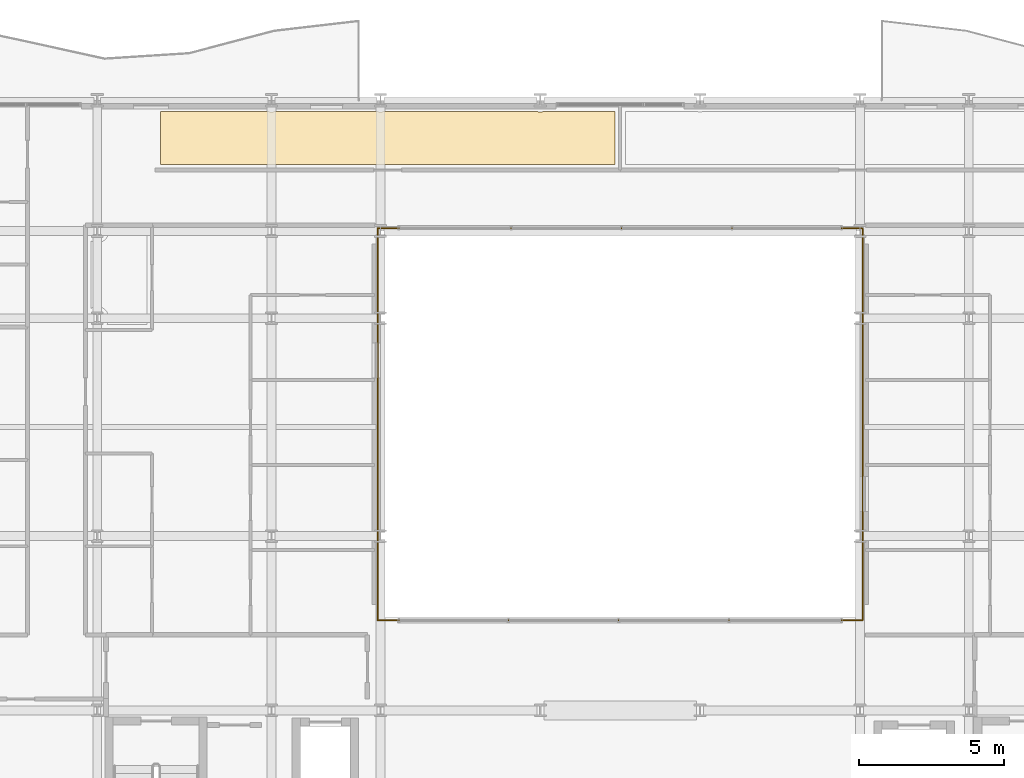
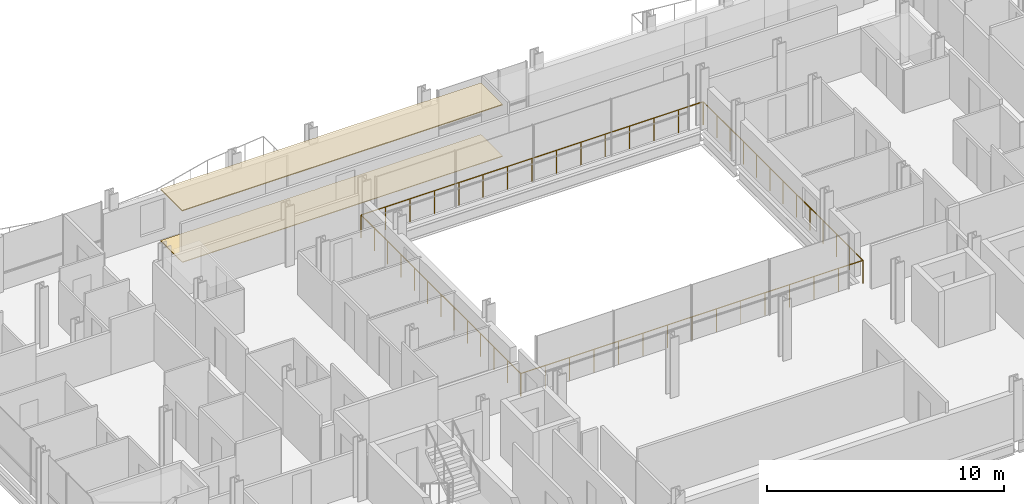
# One storey, part 39 of 41: 2 coverings, 2 railings.
"""IFC4 building model written with IfcOpenShell, lengths in metres."""

from ifc_helpers import new_model, si_unit, direction, frame, origin, origin_2d, place, context, subcontext, project, spatial, polyline, circle, outline, extrude, material, layer, layer_set, type_object, element, save


model = new_model("IFC4")

# Units and contexts
model_context = context("Model", 3, precision=1e-05, world=origin(), true_north=direction((0.0, 1.0)))
body_context = subcontext(model_context, "Body", "Model", "MODEL_VIEW")
ifc_project = project(units=[si_unit("LENGTHUNIT", "METRE"), si_unit("AREAUNIT", "SQUARE_METRE"), si_unit("VOLUMEUNIT", "CUBIC_METRE"), si_unit("PLANEANGLEUNIT", "RADIAN"), si_unit("MASSUNIT", "GRAM", prefix="KILO")], contexts=[model_context])

# Site, building, storey
site_placement = place(None, origin())
site = spatial("IfcSite", under=ifc_project, at=site_placement, CompositionType="ELEMENT")
building_placement = place(site_placement, origin())
building = spatial("IfcBuilding", under=site, at=building_placement, Name="Brevholm Reach", CompositionType="ELEMENT")
storey_placement = place(building_placement, frame((0.0, 0.0, 74.5)))
storey = spatial("IfcBuildingStorey", under=building, at=storey_placement, Name="L21", CompositionType="ELEMENT", Elevation=74.5)

# Coverings
ifc_material_1 = material(Name="Perforated Mineral-Fibre Class-A Acoustic Suspended Ceiling", Category="gypsum")
ifc_layer_1 = layer(ifc_material_1, 0.044921875)
ifc_layer_set_1 = layer_set([ifc_layer_1], Name="Perforated Mineral-Fibre Class-A Acoustic Suspended Ceiling")
covering_type_1 = type_object("IfcCoveringType", Name="COV-CLG-AC", PredefinedType="CEILING", material=ifc_layer_set_1)
covering_1_placement = place(storey_placement, frame((0.0, 0.0, 2.655029296875)))
element("IfcCovering", 1, at=covering_1_placement, inside=storey, type_object=covering_type_1, Name="L21 Suspended Ceiling L21-75", PredefinedType="CEILING", context=body_context, shape_type="SweptSolid", body=[
    extrude(outline(polyline([(14.179931640625, 30.6201171875), (17.876220703125, 30.6201171875), (17.8837890625, 30.6171875), (17.922119140625, 30.607666015625), (17.960693359375, 30.601806640625), (18.0, 30.60009765625), (18.039306640625, 30.601806640625), (18.077880859375, 30.607666015625), (18.1162109375, 30.6171875), (18.123779296875, 30.6201171875), (21.626220703125, 30.6201171875), (21.6337890625, 30.6171875), (21.672119140625, 30.607666015625), (21.710693359375, 30.601806640625), (21.75, 30.60009765625), (21.789306640625, 30.601806640625), (21.827880859375, 30.607666015625), (21.8662109375, 30.6171875), (21.873779296875, 30.6201171875), (27.126220703125, 30.6201171875), (27.1337890625, 30.6171875), (27.172119140625, 30.607666015625), (27.210693359375, 30.601806640625), (27.25, 30.60009765625), (27.289306640625, 30.601806640625), (27.327880859375, 30.607666015625), (27.3662109375, 30.6171875), (27.373779296875, 30.6201171875), (29.820068359375, 30.6201171875), (29.820068359375, 28.783935546875), (14.179931640625, 28.783935546875), (14.179931640625, 30.6201171875)])), origin(), (0.0, 0.0, 1.0), 0.044921875),
])
ifc_material_2 = material(Name="Honed Portland-Aggregate Resin Terrazzo Flooring", Category="concrete")
ifc_layer_2 = layer(ifc_material_2, 0.031982421875)
ifc_layer_set_2 = layer_set([ifc_layer_2], Name="Honed Portland-Aggregate Resin Terrazzo Flooring")
covering_type_2 = type_object("IfcCoveringType", Name="COV-FLR-TRZ", PredefinedType="FLOORING", material=ifc_layer_set_2)
covering_2_placement = place(storey_placement, origin())
element("IfcCovering", 2, at=covering_2_placement, inside=storey, type_object=covering_type_2, Name="L21 Floor Finish L21-75", PredefinedType="FLOORING", context=body_context, shape_type="SweptSolid", body=[
    extrude(outline(polyline([(14.179931640625, 30.6201171875), (17.876220703125, 30.6201171875), (17.8837890625, 30.6171875), (17.922119140625, 30.607666015625), (17.960693359375, 30.601806640625), (18.0, 30.60009765625), (18.039306640625, 30.601806640625), (18.077880859375, 30.607666015625), (18.1162109375, 30.6171875), (18.123779296875, 30.6201171875), (21.626220703125, 30.6201171875), (21.6337890625, 30.6171875), (21.672119140625, 30.607666015625), (21.710693359375, 30.601806640625), (21.75, 30.60009765625), (21.789306640625, 30.601806640625), (21.827880859375, 30.607666015625), (21.8662109375, 30.6171875), (21.873779296875, 30.6201171875), (27.126220703125, 30.6201171875), (27.1337890625, 30.6171875), (27.172119140625, 30.607666015625), (27.210693359375, 30.601806640625), (27.25, 30.60009765625), (27.289306640625, 30.601806640625), (27.327880859375, 30.607666015625), (27.3662109375, 30.6171875), (27.373779296875, 30.6201171875), (29.820068359375, 30.6201171875), (29.820068359375, 28.783935546875), (14.179931640625, 28.783935546875), (14.179931640625, 30.6201171875)])), origin(), (0.0, 0.0, 1.0), 0.031982421875),
])

# Railings
ifc_material_3 = material(Name="Brushed Stainless Steel EN 1.4401 and Laminated Glass", Category="steel")
railing_type = type_object("IfcRailingType", Name="RAL-TERR-1200", PredefinedType="BALUSTRADE", material=ifc_material_3)
railing_1_placement = place(storey_placement, frame((21.64990234375, 13.10009765625, 0.0)))
element("IfcRailing", 3, at=railing_1_placement, inside=storey, type_object=railing_type, Name="L21 Guard Balustrade RAL-L21-AT-VOID-SW", PredefinedType="BALUSTRADE", context=body_context, shape_type="SweptSolid", body=[
    extrude(circle(Radius=0.02392578125, at=origin_2d()), frame((0.0, 0.0, 1.17578125), z_axis=(1.0, 0.0, 0.0), x_axis=(0.0, 1.0, 0.0)), (0.0, 0.0, 1.0), 16.7001953125),
    extrude(circle(Radius=0.02392578125, at=origin_2d()), frame((16.7001953125, 0.0, 1.17578125), z_axis=(0.0, 1.0, 0.0), x_axis=(-1.0, 0.0, 0.0)), (0.0, 0.0, 1.0), 13.47998046875),
    extrude(circle(Radius=0.02099609375, at=origin_2d()), origin(), (0.0, 0.0, 1.0), 1.15185546875),
    extrude(circle(Radius=0.02099609375, at=origin_2d()), frame((1.19287109375, 0.0, 0.0)), (0.0, 0.0, 1.0), 1.15185546875),
    extrude(circle(Radius=0.02099609375, at=origin_2d()), frame((2.3857421875, 0.0, 0.0)), (0.0, 0.0, 1.0), 1.15185546875),
    extrude(circle(Radius=0.02099609375, at=origin_2d()), frame((3.57861328125, 0.0, 0.0)), (0.0, 0.0, 1.0), 1.15185546875),
    extrude(circle(Radius=0.02099609375, at=origin_2d()), frame((4.771484375, 0.0, 0.0)), (0.0, 0.0, 1.0), 1.15185546875),
    extrude(circle(Radius=0.02099609375, at=origin_2d()), frame((5.96435546875, 0.0, 0.0)), (0.0, 0.0, 1.0), 1.15185546875),
    extrude(circle(Radius=0.02099609375, at=origin_2d()), frame((7.1572265625, 0.0, 0.0)), (0.0, 0.0, 1.0), 1.15185546875),
    extrude(circle(Radius=0.02099609375, at=origin_2d()), frame((8.35009765625, 0.0, 0.0)), (0.0, 0.0, 1.0), 1.15185546875),
    extrude(circle(Radius=0.02099609375, at=origin_2d()), frame((9.54296875, 0.0, 0.0)), (0.0, 0.0, 1.0), 1.15185546875),
    extrude(circle(Radius=0.02099609375, at=origin_2d()), frame((10.73583984375, 0.0, 0.0)), (0.0, 0.0, 1.0), 1.15185546875),
    extrude(circle(Radius=0.02099609375, at=origin_2d()), frame((11.9287109375, 0.0, 0.0)), (0.0, 0.0, 1.0), 1.15185546875),
    extrude(circle(Radius=0.02099609375, at=origin_2d()), frame((13.12158203125, 0.0, 0.0)), (0.0, 0.0, 1.0), 1.15185546875),
    extrude(circle(Radius=0.02099609375, at=origin_2d()), frame((14.314453125, 0.0, 0.0)), (0.0, 0.0, 1.0), 1.15185546875),
    extrude(circle(Radius=0.02099609375, at=origin_2d()), frame((15.50732421875, 0.0, 0.0)), (0.0, 0.0, 1.0), 1.15185546875),
    extrude(circle(Radius=0.02099609375, at=origin_2d()), frame((16.7001953125, 0.0, 0.0)), (0.0, 0.0, 1.0), 1.15185546875),
    extrude(circle(Radius=0.02099609375, at=origin_2d()), frame((16.7001953125, 1.123291015625, 0.0)), (0.0, 0.0, 1.0), 1.15185546875),
    extrude(circle(Radius=0.02099609375, at=origin_2d()), frame((16.7001953125, 2.24658203125, 0.0)), (0.0, 0.0, 1.0), 1.15185546875),
    extrude(circle(Radius=0.02099609375, at=origin_2d()), frame((16.7001953125, 3.3701171875, 0.0)), (0.0, 0.0, 1.0), 1.15185546875),
    extrude(circle(Radius=0.02099609375, at=origin_2d()), frame((16.7001953125, 4.493408203125, 0.0)), (0.0, 0.0, 1.0), 1.15185546875),
    extrude(circle(Radius=0.02099609375, at=origin_2d()), frame((16.7001953125, 5.61669921875, 0.0)), (0.0, 0.0, 1.0), 1.15185546875),
    extrude(circle(Radius=0.02099609375, at=origin_2d()), frame((16.7001953125, 6.739990234375, 0.0)), (0.0, 0.0, 1.0), 1.15185546875),
    extrude(circle(Radius=0.02099609375, at=origin_2d()), frame((16.7001953125, 7.86328125, 0.0)), (0.0, 0.0, 1.0), 1.15185546875),
    extrude(circle(Radius=0.02099609375, at=origin_2d()), frame((16.7001953125, 8.986572265625, 0.0)), (0.0, 0.0, 1.0), 1.15185546875),
    extrude(circle(Radius=0.02099609375, at=origin_2d()), frame((16.7001953125, 10.10986328125, 0.0)), (0.0, 0.0, 1.0), 1.15185546875),
    extrude(circle(Radius=0.02099609375, at=origin_2d()), frame((16.7001953125, 11.2333984375, 0.0)), (0.0, 0.0, 1.0), 1.15185546875),
    extrude(circle(Radius=0.02099609375, at=origin_2d()), frame((16.7001953125, 12.356689453125, 0.0)), (0.0, 0.0, 1.0), 1.15185546875),
    extrude(circle(Radius=0.02099609375, at=origin_2d()), frame((16.7001953125, 13.47998046875, 0.0)), (0.0, 0.0, 1.0), 1.15185546875),
])
railing_2_placement = place(storey_placement, frame((38.330078125, 26.60009765625, 0.0)))
element("IfcRailing", 4, at=railing_2_placement, inside=storey, type_object=railing_type, Name="L21 Guard Balustrade RAL-L21-AT-VOID-NE", PredefinedType="BALUSTRADE", context=body_context, shape_type="SweptSolid", body=[
    extrude(circle(Radius=0.02392578125, at=origin_2d()), frame((0.0, 0.0, 1.17578125), z_axis=(-1.0, 0.0, 0.0), x_axis=(0.0, -1.0, 0.0)), (0.0, 0.0, 1.0), 16.68017578125),
    extrude(circle(Radius=0.02392578125, at=origin_2d()), frame((-16.68017578125, 0.0, 1.17578125), z_axis=(0.0, -1.0, 0.0), x_axis=(1.0, 0.0, 0.0)), (0.0, 0.0, 1.0), 13.47998046875),
    extrude(circle(Radius=0.02099609375, at=origin_2d()), origin(), (0.0, 0.0, 1.0), 1.15185546875),
    extrude(circle(Radius=0.02099609375, at=origin_2d()), frame((-1.19140625, 0.0, 0.0)), (0.0, 0.0, 1.0), 1.15185546875),
    extrude(circle(Radius=0.02099609375, at=origin_2d()), frame((-2.3828125, 0.0, 0.0)), (0.0, 0.0, 1.0), 1.15185546875),
    extrude(circle(Radius=0.02099609375, at=origin_2d()), frame((-3.57421875, 0.0, 0.0)), (0.0, 0.0, 1.0), 1.15185546875),
    extrude(circle(Radius=0.02099609375, at=origin_2d()), frame((-4.765869140625, 0.0, 0.0)), (0.0, 0.0, 1.0), 1.15185546875),
    extrude(circle(Radius=0.02099609375, at=origin_2d()), frame((-5.957275390625, 0.0, 0.0)), (0.0, 0.0, 1.0), 1.15185546875),
    extrude(circle(Radius=0.02099609375, at=origin_2d()), frame((-7.148681640625, 0.0, 0.0)), (0.0, 0.0, 1.0), 1.15185546875),
    extrude(circle(Radius=0.02099609375, at=origin_2d()), frame((-8.340087890625, 0.0, 0.0)), (0.0, 0.0, 1.0), 1.15185546875),
    extrude(circle(Radius=0.02099609375, at=origin_2d()), frame((-9.531494140625, 0.0, 0.0)), (0.0, 0.0, 1.0), 1.15185546875),
    extrude(circle(Radius=0.02099609375, at=origin_2d()), frame((-10.722900390625, 0.0, 0.0)), (0.0, 0.0, 1.0), 1.15185546875),
    extrude(circle(Radius=0.02099609375, at=origin_2d()), frame((-11.914306640625, 0.0, 0.0)), (0.0, 0.0, 1.0), 1.15185546875),
    extrude(circle(Radius=0.02099609375, at=origin_2d()), frame((-13.10595703125, 0.0, 0.0)), (0.0, 0.0, 1.0), 1.15185546875),
    extrude(circle(Radius=0.02099609375, at=origin_2d()), frame((-14.29736328125, 0.0, 0.0)), (0.0, 0.0, 1.0), 1.15185546875),
    extrude(circle(Radius=0.02099609375, at=origin_2d()), frame((-15.48876953125, 0.0, 0.0)), (0.0, 0.0, 1.0), 1.15185546875),
    extrude(circle(Radius=0.02099609375, at=origin_2d()), frame((-16.68017578125, 0.0, 0.0)), (0.0, 0.0, 1.0), 1.15185546875),
    extrude(circle(Radius=0.02099609375, at=origin_2d()), frame((-16.68017578125, -1.123291015625, 0.0)), (0.0, 0.0, 1.0), 1.15185546875),
    extrude(circle(Radius=0.02099609375, at=origin_2d()), frame((-16.68017578125, -2.24658203125, 0.0)), (0.0, 0.0, 1.0), 1.15185546875),
    extrude(circle(Radius=0.02099609375, at=origin_2d()), frame((-16.68017578125, -3.3701171875, 0.0)), (0.0, 0.0, 1.0), 1.15185546875),
    extrude(circle(Radius=0.02099609375, at=origin_2d()), frame((-16.68017578125, -4.493408203125, 0.0)), (0.0, 0.0, 1.0), 1.15185546875),
    extrude(circle(Radius=0.02099609375, at=origin_2d()), frame((-16.68017578125, -5.61669921875, 0.0)), (0.0, 0.0, 1.0), 1.15185546875),
    extrude(circle(Radius=0.02099609375, at=origin_2d()), frame((-16.68017578125, -6.739990234375, 0.0)), (0.0, 0.0, 1.0), 1.15185546875),
    extrude(circle(Radius=0.02099609375, at=origin_2d()), frame((-16.68017578125, -7.86328125, 0.0)), (0.0, 0.0, 1.0), 1.15185546875),
    extrude(circle(Radius=0.02099609375, at=origin_2d()), frame((-16.68017578125, -8.986572265625, 0.0)), (0.0, 0.0, 1.0), 1.15185546875),
    extrude(circle(Radius=0.02099609375, at=origin_2d()), frame((-16.68017578125, -10.10986328125, 0.0)), (0.0, 0.0, 1.0), 1.15185546875),
    extrude(circle(Radius=0.02099609375, at=origin_2d()), frame((-16.68017578125, -11.2333984375, 0.0)), (0.0, 0.0, 1.0), 1.15185546875),
    extrude(circle(Radius=0.02099609375, at=origin_2d()), frame((-16.68017578125, -12.356689453125, 0.0)), (0.0, 0.0, 1.0), 1.15185546875),
    extrude(circle(Radius=0.02099609375, at=origin_2d()), frame((-16.68017578125, -13.47998046875, 0.0)), (0.0, 0.0, 1.0), 1.15185546875),
])

save(model, "model.ifc")
